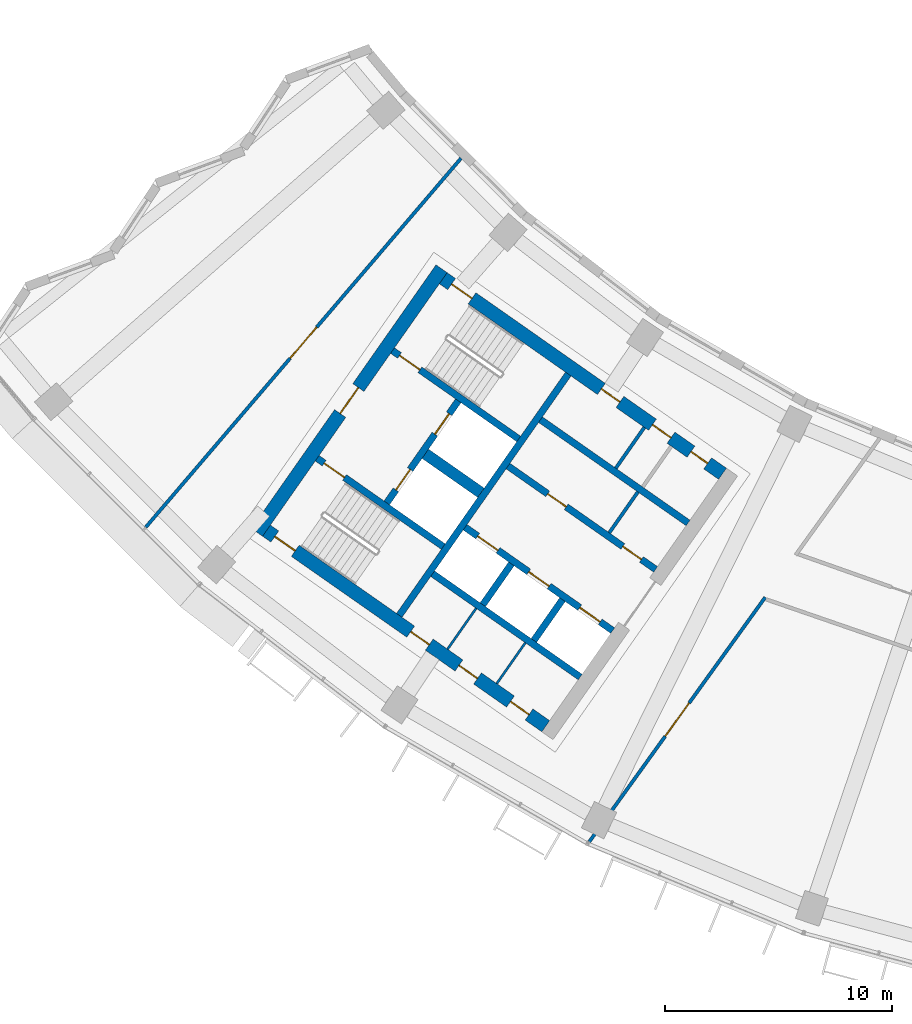
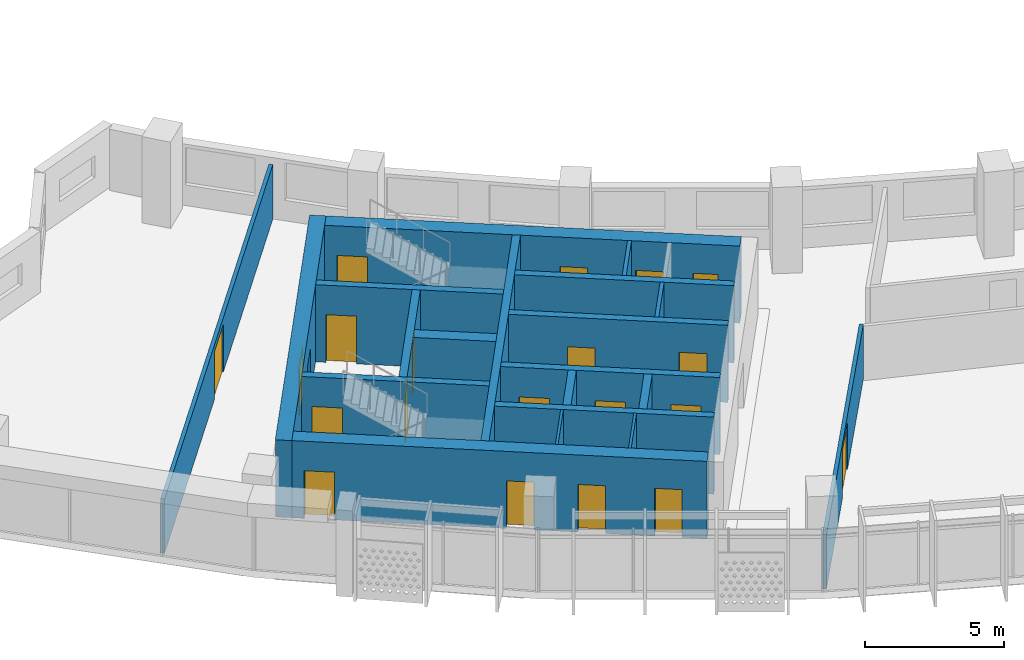
# One storey, part 3 of 27: 20 doors, 20 walls, 20 openings.
"""IFC4 building model written with IfcOpenShell, lengths in metres."""

import ifcopenshell
import ifcopenshell.guid

model = None  # the IFC model being written
_history = None  # IfcOwnerHistory: only IFC2X3 demands one
_inside = {}  # id of a spatial element -> (the spatial element, [elements in it])
_under = {}  # id of a project, library or spatial element -> (it, [spatial elements below it])
_declared = {}  # id of a project -> (the project, [libraries it declares])
_typed = {}  # id of a type object -> (the type object, [elements of that type])
_made_of = {}  # id of a material, layer set ... -> (it, [elements and type objects made of it])


def new_model(schema):
    """Start an empty IFC model of exactly this schema.

    Asked for "IFC4X3", IfcOpenShell would pick the latest addendum, in which some entities
    have other attributes; the version numbers below select the first issue.
    IFC2X3 requires an IfcOwnerHistory on every rooted entity: one is made here for all.
    """
    global model, _history
    if schema == "IFC4X3":
        model = ifcopenshell.file(schema_version=(4, 3, 0, 0))
    else:
        model = ifcopenshell.file(schema=schema)
    _inside.clear()
    _under.clear()
    _declared.clear()
    _typed.clear()
    _made_of.clear()
    _history = None
    if model.schema == "IFC2X3":
        org = make("IfcOrganization", Name="unknown")
        user = make(
            "IfcPersonAndOrganization",
            ThePerson=make("IfcPerson", FamilyName="unknown"),
            TheOrganization=org,
        )
        app = make(
            "IfcApplication",
            ApplicationDeveloper=org,
            Version="unknown",
            ApplicationFullName="unknown",
            ApplicationIdentifier="unknown",
        )
        _history = make(
            "IfcOwnerHistory",
            OwningUser=user,
            OwningApplication=app,
            ChangeAction="ADDED",
            CreationDate=0,
        )
    return model


def make(cls, **values):
    """One entity of the class cls with the attributes given. An attribute that is None is left unset."""
    return model.create_entity(
        cls, **{name: value for name, value in values.items() if value is not None}
    )


def rooted(cls, **values):
    """An entity with a GlobalId (a new one), such as an element, a storey or a relation."""
    return make(cls, GlobalId=ifcopenshell.guid.new(), OwnerHistory=_history, **values)


def si_unit(unit_type, name, prefix=None):
    """IfcSIUnit, for example si_unit("LENGTHUNIT", "METRE", prefix="MILLI")."""
    return make("IfcSIUnit", UnitType=unit_type, Prefix=prefix, Name=name)


def assignment(units):
    """IfcUnitAssignment: the units of a project."""
    return None if units is None else make("IfcUnitAssignment", Units=units)


def point(xyz):
    """IfcCartesianPoint."""
    return None if xyz is None else make("IfcCartesianPoint", Coordinates=xyz)


def direction(xyz):
    """IfcDirection."""
    return None if xyz is None else make("IfcDirection", DirectionRatios=xyz)


def frame(location, z_axis=None, x_axis=None):
    """IfcAxis2Placement3D, a coordinate frame: its origin and axes. An axis left out is left unset."""
    return make(
        "IfcAxis2Placement3D",
        Location=point(location),
        Axis=direction(z_axis),
        RefDirection=direction(x_axis),
    )


def frame_2d(location, x_axis=None):
    """IfcAxis2Placement2D, a coordinate frame in the plane: its origin and x axis."""
    return make(
        "IfcAxis2Placement2D", Location=point(location), RefDirection=direction(x_axis)
    )


def origin():
    """The frame at (0, 0, 0) with its axes left unset."""
    return frame((0.0, 0.0, 0.0))


def place(relative_to, where):
    """IfcLocalPlacement: puts the frame where relative to a parent placement (None: the world)."""
    return make(
        "IfcLocalPlacement", PlacementRelTo=relative_to, RelativePlacement=where
    )


def context(
    kind, dimensions, precision=None, world=None, true_north=None, identifier=None
):
    """IfcGeometricRepresentationContext, for example the 3D "Model" context."""
    return make(
        "IfcGeometricRepresentationContext",
        ContextIdentifier=identifier,
        ContextType=kind,
        CoordinateSpaceDimension=dimensions,
        Precision=precision,
        WorldCoordinateSystem=world,
        TrueNorth=true_north,
    )


def subcontext(parent, identifier, kind, view, scale=None):
    """IfcGeometricRepresentationSubContext, for example "Body" below "Model"."""
    return make(
        "IfcGeometricRepresentationSubContext",
        ContextIdentifier=identifier,
        ContextType=kind,
        ParentContext=parent,
        TargetScale=scale,
        TargetView=view,
    )


def project(units=None, contexts=None):
    """IfcProject with its units and contexts."""
    return rooted(
        "IfcProject",
        Name="project",
        RepresentationContexts=contexts,
        UnitsInContext=assignment(units),
    )


def spatial(cls, under=None, at=None, **own):
    """A site, building, storey or space (cls), placed at a placement, below another one or the project."""
    s = rooted(cls, ObjectPlacement=at, **own)
    if under is not None:
        _under.setdefault(under.id(), (under, []))[1].append(s)
    return s


def profile(cls, at=None, kind="AREA", **sizes):
    """A parametric profile (cls). Its sizes go by their IFC names, for example OverallWidth=200.0."""
    return make(cls, ProfileType=kind, Position=at, **sizes)


def rectangle(**sizes):
    """IfcRectangleProfileDef."""
    return profile("IfcRectangleProfileDef", **sizes)


def extrude(swept, where, along, depth):
    """IfcExtrudedAreaSolid: the profile swept, set in the frame where, extruded along a direction by depth."""
    return make(
        "IfcExtrudedAreaSolid",
        SweptArea=swept,
        Position=where,
        ExtrudedDirection=direction(along),
        Depth=depth,
    )


def shape(context_of_items, identifier, shape_type, items):
    """IfcShapeRepresentation: the items that make up one representation, for example the "Body"."""
    return make(
        "IfcShapeRepresentation",
        ContextOfItems=context_of_items,
        RepresentationIdentifier=identifier,
        RepresentationType=shape_type,
        Items=items,
    )


def material(Name=None, Category=None):
    """IfcMaterial."""
    return make("IfcMaterial", Name=Name, Category=Category)


def layer(
    of_material, thickness, ventilated=None, Name=None, Category=None, Priority=None
):
    """IfcMaterialLayer: one layer of a wall or slab, of a material (None: an air gap)."""
    return make(
        "IfcMaterialLayer",
        Material=of_material,
        LayerThickness=thickness,
        IsVentilated=ventilated,
        Name=Name,
        Category=Category,
        Priority=Priority,
    )


def layer_set(layers, Name=None):
    """IfcMaterialLayerSet."""
    return make("IfcMaterialLayerSet", MaterialLayers=layers, LayerSetName=Name)


def made_of(thing, what):
    """Note that an element or type object is made of a material, layer set ...; save() writes the relation."""
    if what is not None:
        _made_of.setdefault(what.id(), (what, []))[1].append(thing)
    return thing


def type_object(cls, material=None, **own):
    """A type object (cls), such as IfcWallType, which elements share."""
    return made_of(rooted(cls, **own), material)


def element(
    cls,
    number,
    at=None,
    inside=None,
    cuts=None,
    type_object=None,
    material=None,
    context=None,
    identifier="Body",
    shape_type=None,
    held_by="IfcProductDefinitionShape",
    body=None,
    shapes=None,
    **own,
):
    """One element of the class cls, such as IfcWall. Its Tag is "e" and its number.

    at: its placement. inside: the storey or other place that contains it. cuts: it is an
    opening in that element (IfcRelVoidsElement). A single representation is given by context,
    identifier, shape_type and body (its items); several are given by shapes. held_by: the class
    of the entity that holds the representations. save() writes the other relations.
    """
    e = rooted(cls, Tag="e%d" % number, ObjectPlacement=at, **own)
    if body is not None:
        shapes = [shape(context, identifier, shape_type, body)]
    if shapes is not None:
        e.Representation = make(held_by, Representations=shapes)
    if inside is not None:
        _inside.setdefault(inside.id(), (inside, []))[1].append(e)
    if cuts is not None:
        rooted(
            "IfcRelVoidsElement", RelatingBuildingElement=cuts, RelatedOpeningElement=e
        )
    if type_object is not None:
        _typed.setdefault(type_object.id(), (type_object, []))[1].append(e)
    return made_of(e, material)


def fill(opening, filler):
    """IfcRelFillsElement: the door or window that sits in an opening."""
    return rooted(
        "IfcRelFillsElement",
        RelatingOpeningElement=opening,
        RelatedBuildingElement=filler,
    )


def aggregate(whole, parts):
    """IfcRelAggregates: a whole, such as a stair, and the parts it consists of."""
    return rooted("IfcRelAggregates", RelatingObject=whole, RelatedObjects=parts)


def save(model, path):
    """Write the relations noted so far, then the file.

    IfcRelAggregates (storeys below a building ...), IfcRelContainedInSpatialStructure (elements
    in a storey), IfcRelDefinesByType, IfcRelAssociatesMaterial and IfcRelDeclares: one each for
    every whole, place, type object, material and project.
    """
    for whole, parts in _under.values():
        aggregate(whole, parts)
    for where, things in _inside.values():
        rooted(
            "IfcRelContainedInSpatialStructure",
            RelatedElements=things,
            RelatingStructure=where,
        )
    for kind, things in _typed.values():
        rooted("IfcRelDefinesByType", RelatedObjects=things, RelatingType=kind)
    for what, things in _made_of.values():
        rooted("IfcRelAssociatesMaterial", RelatedObjects=things, RelatingMaterial=what)
    for by, libraries in _declared.values():
        rooted("IfcRelDeclares", RelatingContext=by, RelatedDefinitions=libraries)
    model.write(path)


model = new_model("IFC4")

# Units and contexts
model_context = context("Model", 3, precision=1e-05, world=origin(), true_north=direction((0.0, 1.0)))
body_context = subcontext(model_context, "Body", "Model", "MODEL_VIEW")
ifc_project = project(units=[si_unit("LENGTHUNIT", "METRE"), si_unit("AREAUNIT", "SQUARE_METRE"), si_unit("VOLUMEUNIT", "CUBIC_METRE"), si_unit("PLANEANGLEUNIT", "RADIAN"), si_unit("MASSUNIT", "GRAM", prefix="KILO")], contexts=[model_context])

# Site, building, storey
site_placement = place(None, origin())
site = spatial("IfcSite", under=ifc_project, at=site_placement, CompositionType="ELEMENT")
building_placement = place(site_placement, origin())
building = spatial("IfcBuilding", under=site, at=building_placement, Name="Qamariyya Broadcast Tower", CompositionType="ELEMENT")
storey_placement = place(building_placement, frame((0.0, 0.0, 194.89990234375)))
storey = spatial("IfcBuildingStorey", under=building, at=storey_placement, Name="L46", CompositionType="ELEMENT", Elevation=194.89990234375)

# Wall, opening, door
ifc_material_1 = material(Name="Concrete C60/75", Category="concrete")
ifc_layer_1 = layer(ifc_material_1, 0.60009765625)
ifc_layer_set_1 = layer_set([ifc_layer_1], Name="Core wall 600 mm Concrete C60/75")
wall_type_1 = type_object("IfcWallType", Name="Core wall 600 mm Concrete C60/75", PredefinedType="SHEAR", material=ifc_layer_set_1)
wall_1_placement = place(storey_placement, frame((-49.4833984375, -57.031494140625, 0.0), z_axis=(0.0, 0.0, 1.0), x_axis=(0.573560421458, 0.819163257805, 0.0)))
wall_1 = element("IfcWall", 1, at=wall_1_placement, inside=storey, type_object=wall_type_1, Name="k-W-L46-WH", PredefinedType="SHEAR", context=body_context, shape_type="SweptSolid", body=[
    extrude(rectangle(XDim=14.199951171875, YDim=0.60009765625, at=frame_2d((7.10009765625, 0.0))), origin(), (0.0, 0.0, 1.0), 3.400146484375),
])
opening_1_placement = place(wall_1_placement, frame((6.39990234375, 0.0, 0.0)))
opening_1 = element("IfcOpeningElement", 2, at=opening_1_placement, cuts=wall_1, Name="Opening KD2-W1", PredefinedType="OPENING", context=body_context, shape_type="SweptSolid", body=[
    extrude(rectangle(XDim=1.39990234375, YDim=2.10009765625, at=frame_2d((0.699951171875, 1.050048828125))), frame((0.0, 0.31005859375, 0.0), z_axis=(0.0, -1.0, 0.0), x_axis=(1.0, 0.0, 0.0)), (0.0, 0.0, 1.0), 0.6201171875),
])
ifc_material_2 = material(Name="Steel fire-resisting door leaf", Category="steel")
door_type_1 = type_object("IfcDoorType", Name="Fire-fighting lobby door KD2", OperationType="DOUBLE_DOOR_SINGLE_SWING", PredefinedType="DOOR", material=ifc_material_2)
door_1_placement = place(opening_1_placement, origin())
door_1 = element("IfcDoor", 3, at=door_1_placement, inside=storey, type_object=door_type_1, Name="k-W-L46-WH-D15", OperationType="DOUBLE_DOOR_SINGLE_SWING", OverallHeight=2.10009765625, OverallWidth=1.39990234375, PredefinedType="DOOR", context=body_context, shape_type="SweptSolid", body=[
    extrude(rectangle(XDim=1.39990234375, YDim=2.10009765625, at=frame_2d((0.699951171875, 1.050048828125))), frame((0.0, 0.02490234375, 0.0), z_axis=(0.0, -1.0, 0.0), x_axis=(1.0, 0.0, 0.0)), (0.0, 0.0, 1.0), 0.050048828125),
])
fill(opening_1, door_1)

# Wall, openings, doors
wall_2_placement = place(storey_placement, frame((-28.940673828125, -54.447021484375, 0.0), z_axis=(0.0, 0.0, 1.0), x_axis=(-0.819153391756, 0.573574511963, 0.0)))
wall_2 = element("IfcWall", 4, at=wall_2_placement, inside=storey, type_object=wall_type_1, Name="k-W-L46-WI", PredefinedType="SHEAR", context=body_context, shape_type="SweptSolid", body=[
    extrude(rectangle(XDim=15.04541015625, YDim=0.60009765625, at=frame_2d((7.522705078125, 0.0))), origin(), (0.0, 0.0, 1.0), 3.400146484375),
])
opening_2_placement = place(wall_2_placement, frame((0.800048828125, 0.0, 0.0)))
opening_2 = element("IfcOpeningElement", 5, at=opening_2_placement, cuts=wall_2, Name="Opening KD5-W1", PredefinedType="OPENING", context=body_context, shape_type="SweptSolid", body=[
    extrude(rectangle(XDim=0.89990234375, YDim=2.10009765625, at=frame_2d((0.449951171875, 1.050048828125))), frame((0.0, 0.31005859375, 0.0), z_axis=(0.0, -1.0, 0.0), x_axis=(1.0, 0.0, 0.0)), (0.0, 0.0, 1.0), 0.6201171875),
])
opening_3_placement = place(wall_2_placement, frame((2.77490234375, 0.0, 0.0)))
opening_3 = element("IfcOpeningElement", 6, at=opening_3_placement, cuts=wall_2, Name="Opening KD7-W1", PredefinedType="OPENING", context=body_context, shape_type="SweptSolid", body=[
    extrude(rectangle(XDim=1.0, YDim=2.10009765625, at=frame_2d((0.5, 1.050048828125))), frame((0.0, 0.31005859375, 0.0), z_axis=(0.0, -1.0, 0.0), x_axis=(1.0, 0.0, 0.0)), (0.0, 0.0, 1.0), 0.6201171875),
])
opening_4_placement = place(wall_2_placement, frame((5.52490234375, 0.0, 0.0)))
opening_4 = element("IfcOpeningElement", 7, at=opening_4_placement, cuts=wall_2, Name="Opening KD6-W3", PredefinedType="OPENING", context=body_context, shape_type="SweptSolid", body=[
    extrude(rectangle(XDim=1.0, YDim=2.10009765625, at=frame_2d((0.5, 1.050048828125))), frame((0.0, 0.31005859375, 0.0), z_axis=(0.0, -1.0, 0.0), x_axis=(1.0, 0.0, 0.0)), (0.0, 0.0, 1.0), 0.6201171875),
])
opening_5_placement = place(wall_2_placement, frame((13.495361328125, 0.0, 0.0)))
opening_5 = element("IfcOpeningElement", 8, at=opening_5_placement, cuts=wall_2, Name="Opening KD1-W1", PredefinedType="OPENING", context=body_context, shape_type="SweptSolid", body=[
    extrude(rectangle(XDim=1.10009765625, YDim=2.10009765625, at=frame_2d((0.550048828125, 1.050048828125))), frame((0.0, 0.31005859375, 0.0), z_axis=(0.0, -1.0, 0.0), x_axis=(1.0, 0.0, 0.0)), (0.0, 0.0, 1.0), 0.6201171875),
])
door_type_2 = type_object("IfcDoorType", Name="Accessible toilet door KD7", OperationType="SINGLE_SWING_LEFT", PredefinedType="DOOR", material=ifc_material_2)
door_2_placement = place(opening_3_placement, origin())
door_2 = element("IfcDoor", 9, at=door_2_placement, inside=storey, type_object=door_type_2, Name="k-W-L46-WI-D8", OperationType="SINGLE_SWING_LEFT", OverallHeight=2.10009765625, OverallWidth=1.0, PredefinedType="DOOR", context=body_context, shape_type="SweptSolid", body=[
    extrude(rectangle(XDim=1.0, YDim=2.10009765625, at=frame_2d((0.5, 1.050048828125))), frame((0.0, 0.02490234375, 0.0), z_axis=(0.0, -1.0, 0.0), x_axis=(1.0, 0.0, 0.0)), (0.0, 0.0, 1.0), 0.050048828125),
])
fill(opening_3, door_2)
door_type_3 = type_object("IfcDoorType", Name="Core room door KD6", OperationType="SINGLE_SWING_LEFT", PredefinedType="DOOR", material=ifc_material_2)
door_3_placement = place(opening_4_placement, origin())
door_3 = element("IfcDoor", 10, at=door_3_placement, inside=storey, type_object=door_type_3, Name="k-W-L46-WI-D9", OperationType="SINGLE_SWING_RIGHT", OverallHeight=2.10009765625, OverallWidth=1.0, PredefinedType="DOOR", context=body_context, shape_type="SweptSolid", body=[
    extrude(rectangle(XDim=1.0, YDim=2.10009765625, at=frame_2d((0.5, 1.050048828125))), frame((0.0, 0.02490234375, 0.0), z_axis=(0.0, -1.0, 0.0), x_axis=(1.0, 0.0, 0.0)), (0.0, 0.0, 1.0), 0.050048828125),
])
fill(opening_4, door_3)
door_type_4 = type_object("IfcDoorType", Name="Stair door KD1", OperationType="SINGLE_SWING_LEFT", PredefinedType="DOOR", material=ifc_material_2)
door_4_placement = place(opening_5_placement, origin())
door_4 = element("IfcDoor", 11, at=door_4_placement, inside=storey, type_object=door_type_4, Name="k-W-L46-WI-D16", OperationType="SINGLE_SWING_RIGHT", OverallHeight=2.10009765625, OverallWidth=1.10009765625, PredefinedType="DOOR", context=body_context, shape_type="SweptSolid", body=[
    extrude(rectangle(XDim=1.10009765625, YDim=2.10009765625, at=frame_2d((0.550048828125, 1.050048828125))), frame((0.0, 0.02490234375, 0.0), z_axis=(0.0, -1.0, 0.0), x_axis=(1.0, 0.0, 0.0)), (0.0, 0.0, 1.0), 0.050048828125),
])
fill(opening_5, door_4)
door_type_5 = type_object("IfcDoorType", Name="Toilet door KD5", OperationType="SINGLE_SWING_LEFT", PredefinedType="DOOR", material=ifc_material_2)
door_5_placement = place(opening_2_placement, origin())
door_5 = element("IfcDoor", 12, at=door_5_placement, inside=storey, type_object=door_type_5, Name="k-W-L46-WI-D7", OperationType="SINGLE_SWING_RIGHT", OverallHeight=2.10009765625, OverallWidth=0.89990234375, PredefinedType="DOOR", context=body_context, shape_type="SweptSolid", body=[
    extrude(rectangle(XDim=0.89990234375, YDim=2.10009765625, at=frame_2d((0.449951171875, 1.050048828125))), frame((0.0, 0.02490234375, 0.0), z_axis=(0.0, -1.0, 0.0), x_axis=(1.0, 0.0, 0.0)), (0.0, 0.0, 1.0), 0.050048828125),
])
fill(opening_2, door_5)

wall_3_placement = place(storey_placement, frame((-36.7412109375, -65.58740234375, 0.0), z_axis=(0.0, 0.0, 1.0), x_axis=(-0.819153391756, 0.573574511963, 0.0)))
wall_3 = element("IfcWall", 13, at=wall_3_placement, inside=storey, type_object=wall_type_1, Name="k-W-L46-WO", PredefinedType="SHEAR", context=body_context, shape_type="SweptSolid", body=[
    extrude(rectangle(XDim=15.04541015625, YDim=0.60009765625, at=frame_2d((7.522705078125, 0.0))), origin(), (0.0, 0.0, 1.0), 3.400146484375),
])
opening_6_placement = place(wall_3_placement, frame((0.89990234375, 0.0, 0.0)))
opening_6 = element("IfcOpeningElement", 14, at=opening_6_placement, cuts=wall_3, Name="Opening KD4-W1", PredefinedType="OPENING", context=body_context, shape_type="SweptSolid", body=[
    extrude(rectangle(XDim=1.0, YDim=2.10009765625, at=frame_2d((0.5, 1.050048828125))), frame((0.0, 0.31005859375, 0.0), z_axis=(0.0, -1.0, 0.0), x_axis=(1.0, 0.0, 0.0)), (0.0, 0.0, 1.0), 0.6201171875),
])
opening_7_placement = place(wall_3_placement, frame((3.675048828125, 0.0, 0.0)))
opening_7 = element("IfcOpeningElement", 15, at=opening_7_placement, cuts=wall_3, Name="Opening KD4-W2", PredefinedType="OPENING", context=body_context, shape_type="SweptSolid", body=[
    extrude(rectangle(XDim=1.0, YDim=2.10009765625, at=frame_2d((0.5, 1.050048828125))), frame((0.0, 0.31005859375, 0.0), z_axis=(0.0, -1.0, 0.0), x_axis=(1.0, 0.0, 0.0)), (0.0, 0.0, 1.0), 0.6201171875),
])
opening_8_placement = place(wall_3_placement, frame((6.27490234375, 0.0, 0.0)))
opening_8 = element("IfcOpeningElement", 16, at=opening_8_placement, cuts=wall_3, Name="Opening KD4-W3", PredefinedType="OPENING", context=body_context, shape_type="SweptSolid", body=[
    extrude(rectangle(XDim=1.0, YDim=2.10009765625, at=frame_2d((0.5, 1.050048828125))), frame((0.0, 0.31005859375, 0.0), z_axis=(0.0, -1.0, 0.0), x_axis=(1.0, 0.0, 0.0)), (0.0, 0.0, 1.0), 0.6201171875),
])
opening_9_placement = place(wall_3_placement, frame((13.495361328125, 0.0, 0.0)))
opening_9 = element("IfcOpeningElement", 17, at=opening_9_placement, cuts=wall_3, Name="Opening KD1-W3", PredefinedType="OPENING", context=body_context, shape_type="SweptSolid", body=[
    extrude(rectangle(XDim=1.10009765625, YDim=2.10009765625, at=frame_2d((0.550048828125, 1.050048828125))), frame((0.0, 0.31005859375, 0.0), z_axis=(0.0, -1.0, 0.0), x_axis=(1.0, 0.0, 0.0)), (0.0, 0.0, 1.0), 0.6201171875),
])
door_type_6 = type_object("IfcDoorType", Name="Riser and plant door KD4", OperationType="SINGLE_SWING_LEFT", PredefinedType="DOOR", material=ifc_material_2)
door_6_placement = place(opening_6_placement, origin())
door_6 = element("IfcDoor", 18, at=door_6_placement, inside=storey, type_object=door_type_6, Name="k-W-L46-WO-D10", OperationType="SINGLE_SWING_LEFT", OverallHeight=2.10009765625, OverallWidth=1.0, PredefinedType="DOOR", context=body_context, shape_type="SweptSolid", body=[
    extrude(rectangle(XDim=1.0, YDim=2.10009765625, at=frame_2d((0.5, 1.050048828125))), frame((0.0, 0.02490234375, 0.0), z_axis=(0.0, -1.0, 0.0), x_axis=(1.0, 0.0, 0.0)), (0.0, 0.0, 1.0), 0.050048828125),
])
fill(opening_6, door_6)
door_7_placement = place(opening_7_placement, origin())
door_7 = element("IfcDoor", 19, at=door_7_placement, inside=storey, type_object=door_type_6, Name="k-W-L46-WO-D11", OperationType="SINGLE_SWING_RIGHT", OverallHeight=2.10009765625, OverallWidth=1.0, PredefinedType="DOOR", context=body_context, shape_type="SweptSolid", body=[
    extrude(rectangle(XDim=1.0, YDim=2.10009765625, at=frame_2d((0.5, 1.050048828125))), frame((0.0, 0.02490234375, 0.0), z_axis=(0.0, -1.0, 0.0), x_axis=(1.0, 0.0, 0.0)), (0.0, 0.0, 1.0), 0.050048828125),
])
fill(opening_7, door_7)
door_8_placement = place(opening_8_placement, origin())
door_8 = element("IfcDoor", 20, at=door_8_placement, inside=storey, type_object=door_type_6, Name="k-W-L46-WO-D12", OperationType="SINGLE_SWING_LEFT", OverallHeight=2.10009765625, OverallWidth=1.0, PredefinedType="DOOR", context=body_context, shape_type="SweptSolid", body=[
    extrude(rectangle(XDim=1.0, YDim=2.10009765625, at=frame_2d((0.5, 1.050048828125))), frame((0.0, 0.02490234375, 0.0), z_axis=(0.0, -1.0, 0.0), x_axis=(1.0, 0.0, 0.0)), (0.0, 0.0, 1.0), 0.050048828125),
])
fill(opening_8, door_8)
door_9_placement = place(opening_9_placement, origin())
door_9 = element("IfcDoor", 21, at=door_9_placement, inside=storey, type_object=door_type_4, Name="k-W-L46-WO-D18", OperationType="SINGLE_SWING_LEFT", OverallHeight=2.10009765625, OverallWidth=1.10009765625, PredefinedType="DOOR", context=body_context, shape_type="SweptSolid", body=[
    extrude(rectangle(XDim=1.10009765625, YDim=2.10009765625, at=frame_2d((0.550048828125, 1.050048828125))), frame((0.0, 0.02490234375, 0.0), z_axis=(0.0, -1.0, 0.0), x_axis=(1.0, 0.0, 0.0)), (0.0, 0.0, 1.0), 0.050048828125),
])
fill(opening_9, door_9)

# Wall, opening, door
ifc_material_3 = material(Name="Gypsum board partition")
ifc_layer_2 = layer(ifc_material_3, 0.14990234375)
ifc_layer_set_2 = layer_set([ifc_layer_2], Name="Corridor partition 150 EI 60")
wall_type_2 = type_object("IfcWallType", Name="Corridor partition 150 EI 60", PredefinedType="PARTITIONING", material=ifc_layer_set_2)
wall_4_placement = place(storey_placement, frame((-54.39404296875, -56.8076171875, 0.0), z_axis=(0.0, 0.0, 1.0), x_axis=(0.649633284071, 0.760247720303, 0.0)))
wall_4 = element("IfcWall", 22, at=wall_4_placement, inside=storey, type_object=wall_type_2, Name="Partition L46-001", PredefinedType="PARTITIONING", context=body_context, shape_type="SweptSolid", body=[
    extrude(rectangle(XDim=21.420166015625, YDim=0.14990234375, at=frame_2d((10.7099609375, 0.0))), origin(), (0.0, 0.0, 1.0), 2.400146484375),
])
opening_10_placement = place(wall_4_placement, frame((9.81005859375, 0.0, 0.0)))
opening_10 = element("IfcOpeningElement", 23, at=opening_10_placement, cuts=wall_4, Name="Opening L46-D15", PredefinedType="OPENING", context=body_context, shape_type="SweptSolid", body=[
    extrude(rectangle(XDim=1.800048828125, YDim=2.10009765625, at=frame_2d((0.89990234375, 1.050048828125))), frame((0.0, 0.0849609375, 0.0), z_axis=(0.0, -1.0, 0.0), x_axis=(1.0, 0.0, 0.0)), (0.0, 0.0, 1.0), 0.169921875),
])
ifc_material_4 = material(Name="Timber fire door leaf", Category="wood")
door_type_7 = type_object("IfcDoorType", Name="Double fire door 1800 x 2100 FD60", OperationType="NOTDEFINED", PredefinedType="DOOR", material=ifc_material_4)
door_10_placement = place(opening_10_placement, origin())
door_10 = element("IfcDoor", 24, at=door_10_placement, inside=storey, type_object=door_type_7, Name="Door L46-D15", OperationType="DOUBLE_DOOR_SINGLE_SWING", OverallHeight=2.10009765625, OverallWidth=1.800048828125, PredefinedType="DOOR", context=body_context, shape_type="SweptSolid", body=[
    extrude(rectangle(XDim=1.800048828125, YDim=2.10009765625, at=frame_2d((0.89990234375, 1.050048828125))), frame((0.0, 0.02490234375, 0.0), z_axis=(0.0, -1.0, 0.0), x_axis=(1.0, 0.0, 0.0)), (0.0, 0.0, 1.0), 0.050048828125),
])
fill(opening_10, door_10)

wall_5_placement = place(storey_placement, frame((-27.056884765625, -59.899169921875, 0.0), z_axis=(0.0, 0.0, 1.0), x_axis=(-0.584166374063, -0.81163393683, 0.0)))
wall_5 = element("IfcWall", 25, at=wall_5_placement, inside=storey, type_object=wall_type_2, Name="Partition L46-002", PredefinedType="PARTITIONING", context=body_context, shape_type="SweptSolid", body=[
    extrude(rectangle(XDim=13.296142578125, YDim=0.14990234375, at=frame_2d((6.64794921875, 0.0))), origin(), (0.0, 0.0, 1.0), 2.400146484375),
])
opening_11_placement = place(wall_5_placement, frame((5.748046875, 0.0, 0.0)))
opening_11 = element("IfcOpeningElement", 26, at=opening_11_placement, cuts=wall_5, Name="Opening L46-D01", PredefinedType="OPENING", context=body_context, shape_type="SweptSolid", body=[
    extrude(rectangle(XDim=1.800048828125, YDim=2.10009765625, at=frame_2d((0.89990234375, 1.050048828125))), frame((0.0, 0.0849609375, 0.0), z_axis=(0.0, -1.0, 0.0), x_axis=(1.0, 0.0, 0.0)), (0.0, 0.0, 1.0), 0.169921875),
])
door_11_placement = place(opening_11_placement, origin())
door_11 = element("IfcDoor", 27, at=door_11_placement, inside=storey, type_object=door_type_7, Name="Door L46-D01", OperationType="DOUBLE_DOOR_SINGLE_SWING", OverallHeight=2.10009765625, OverallWidth=1.800048828125, PredefinedType="DOOR", context=body_context, shape_type="SweptSolid", body=[
    extrude(rectangle(XDim=1.800048828125, YDim=2.10009765625, at=frame_2d((0.89990234375, 1.050048828125))), frame((0.0, 0.02490234375, 0.0), z_axis=(0.0, -1.0, 0.0), x_axis=(1.0, 0.0, 0.0)), (0.0, 0.0, 1.0), 0.050048828125),
])
fill(opening_11, door_11)

# Walls
ifc_layer_3 = layer(ifc_material_1, 0.5)
ifc_layer_set_3 = layer_set([ifc_layer_3], Name="Fire-fighting lobby divider wall 500 mm Concrete C60/75")
wall_type_3 = type_object("IfcWallType", Name="Fire-fighting lobby divider wall 500 mm Concrete C60/75", PredefinedType="SOLIDWALL", material=ifc_layer_set_3)
wall_6_placement = place(storey_placement, frame((-39.59912109375, -55.28515625, 0.0), z_axis=(0.0, 0.0, 1.0), x_axis=(-0.819136323161, 0.573598887793, 0.0)))
element("IfcWall", 28, at=wall_6_placement, inside=storey, type_object=wall_type_3, Name="k-W-L46-FD", PredefinedType="SOLIDWALL", context=body_context, shape_type="SweptSolid", body=[
    extrude(rectangle(XDim=2.999755859375, YDim=0.5, at=frame_2d((1.5, 0.0))), origin(), (0.0, 0.0, 1.0), 3.400146484375),
])
ifc_material_5 = material(Name="Gypsum board partition on steel studs", Category="steel")
ifc_layer_4 = layer(ifc_material_5, 0.14990234375)
ifc_layer_set_4 = layer_set([ifc_layer_4], Name="Gypsum board partition 150 mm")
wall_type_4 = type_object("IfcWallType", Name="Gypsum board partition 150 mm", PredefinedType="PARTITIONING", material=ifc_layer_set_4)
wall_7_placement = place(storey_placement, frame((-33.9384765625, -57.051513671875, 0.0), z_axis=(0.0, 0.0, 1.0), x_axis=(0.573581496053, 0.819148501424, 0.0)))
element("IfcWall", 29, at=wall_7_placement, inside=storey, type_object=wall_type_4, Name="k-W-L46-NC260", PredefinedType="PARTITIONING", context=body_context, shape_type="SweptSolid", body=[
    extrude(rectangle(XDim=2.2001953125, YDim=0.14990234375, at=frame_2d((1.10009765625, 0.0))), origin(), (0.0, 0.0, 1.0), 3.400146484375),
])
wall_8_placement = place(storey_placement, frame((-33.651123046875, -54.200439453125, 0.0), z_axis=(0.0, 0.0, 1.0), x_axis=(0.573559170999, 0.819164133348, 0.0)))
element("IfcWall", 30, at=wall_8_placement, inside=storey, type_object=wall_type_4, Name="k-W-L46-NP400", PredefinedType="PARTITIONING", context=body_context, shape_type="SweptSolid", body=[
    extrude(rectangle(XDim=2.19970703125, YDim=0.14990234375, at=frame_2d((1.099853515625, 0.0))), origin(), (0.0, 0.0, 1.0), 3.400146484375),
])
ifc_layer_5 = layer(ifc_material_1, 0.300048828125)
ifc_layer_set_5 = layer_set([ifc_layer_5], Name="Lift shaft wall 300 mm Concrete C60/75")
wall_type_5 = type_object("IfcWallType", Name="Lift shaft wall 300 mm Concrete C60/75", PredefinedType="SOLIDWALL", material=ifc_layer_set_5)
wall_9_placement = place(storey_placement, frame((-43.204345703125, -60.69580078125, 0.0), z_axis=(0.0, 0.0, 1.0), x_axis=(0.573571992966, 0.819155155563, 0.0)))
element("IfcWall", 31, at=wall_9_placement, inside=storey, type_object=wall_type_5, Name="k-W-L46-WL", PredefinedType="SOLIDWALL", context=body_context, shape_type="SweptSolid", body=[
    extrude(rectangle(XDim=13.000244140625, YDim=0.300048828125, at=frame_2d((6.5, 0.0))), origin(), (0.0, 0.0, 1.0), 3.400146484375),
])

# Wall, openings, doors
wall_10_placement = place(storey_placement, frame((-31.89453125, -58.66552734375, 0.0), z_axis=(0.0, 0.0, 1.0), x_axis=(-0.819166993208, 0.573555086491, 0.0)))
wall_10 = element("IfcWall", 32, at=wall_10_placement, inside=storey, type_object=wall_type_5, Name="k-W-L46-NF0", PredefinedType="SOLIDWALL", context=body_context, shape_type="SweptSolid", body=[
    extrude(rectangle(XDim=7.9501953125, YDim=0.300048828125, at=frame_2d((3.97509765625, 0.0))), origin(), (0.0, 0.0, 1.0), 3.400146484375),
])
opening_12_placement = place(wall_10_placement, frame((0.762451171875, 0.0, 0.0)))
opening_12 = element("IfcOpeningElement", 33, at=opening_12_placement, cuts=wall_10, Name="Opening KD6-W1", PredefinedType="OPENING", context=body_context, shape_type="SweptSolid", body=[
    extrude(rectangle(XDim=1.0, YDim=2.10009765625, at=frame_2d((0.5, 1.050048828125))), frame((0.0, 0.159912109375, 0.0), z_axis=(0.0, -1.0, 0.0), x_axis=(1.0, 0.0, 0.0)), (0.0, 0.0, 1.0), 0.320068359375),
])
opening_13_placement = place(wall_10_placement, frame((4.8125, 0.0, 0.0)))
opening_13 = element("IfcOpeningElement", 34, at=opening_13_placement, cuts=wall_10, Name="Opening KD6-W2", PredefinedType="OPENING", context=body_context, shape_type="SweptSolid", body=[
    extrude(rectangle(XDim=1.0, YDim=2.10009765625, at=frame_2d((0.5, 1.050048828125))), frame((0.0, 0.159912109375, 0.0), z_axis=(0.0, -1.0, 0.0), x_axis=(1.0, 0.0, 0.0)), (0.0, 0.0, 1.0), 0.320068359375),
])
door_12_placement = place(opening_12_placement, origin())
door_12 = element("IfcDoor", 35, at=door_12_placement, inside=storey, type_object=door_type_3, Name="k-W-L46-NF0-D2", OperationType="SINGLE_SWING_LEFT", OverallHeight=2.10009765625, OverallWidth=1.0, PredefinedType="DOOR", context=body_context, shape_type="SweptSolid", body=[
    extrude(rectangle(XDim=1.0, YDim=2.10009765625, at=frame_2d((0.5, 1.050048828125))), frame((0.0, 0.02490234375, 0.0), z_axis=(0.0, -1.0, 0.0), x_axis=(1.0, 0.0, 0.0)), (0.0, 0.0, 1.0), 0.050048828125),
])
fill(opening_12, door_12)
door_13_placement = place(opening_13_placement, origin())
door_13 = element("IfcDoor", 36, at=door_13_placement, inside=storey, type_object=door_type_3, Name="k-W-L46-NF0-D3", OperationType="SINGLE_SWING_RIGHT", OverallHeight=2.10009765625, OverallWidth=1.0, PredefinedType="DOOR", context=body_context, shape_type="SweptSolid", body=[
    extrude(rectangle(XDim=1.0, YDim=2.10009765625, at=frame_2d((0.5, 1.050048828125))), frame((0.0, 0.02490234375, 0.0), z_axis=(0.0, -1.0, 0.0), x_axis=(1.0, 0.0, 0.0)), (0.0, 0.0, 1.0), 0.050048828125),
])
fill(opening_13, door_13)

# Wall
wall_11_placement = place(storey_placement, frame((-30.460693359375, -56.61767578125, 0.0), z_axis=(0.0, 0.0, 1.0), x_axis=(-0.819142461705, 0.573590121456, 0.0)))
element("IfcWall", 37, at=wall_11_placement, inside=storey, type_object=wall_type_5, Name="k-W-L46-NB0", PredefinedType="SOLIDWALL", context=body_context, shape_type="SweptSolid", body=[
    extrude(rectangle(XDim=7.949951171875, YDim=0.300048828125, at=frame_2d((3.97509765625, 0.0))), origin(), (0.0, 0.0, 1.0), 3.400146484375),
])

# Wall, openings, doors
wall_12_placement = place(storey_placement, frame((-33.787353515625, -61.368896484375, 0.0), z_axis=(0.0, 0.0, 1.0), x_axis=(-0.819152564888, 0.573575692858, 0.0)))
wall_12 = element("IfcWall", 38, at=wall_12_placement, inside=storey, type_object=wall_type_5, Name="k-W-L46-SF0", PredefinedType="SOLIDWALL", context=body_context, shape_type="SweptSolid", body=[
    extrude(rectangle(XDim=7.9501953125, YDim=0.300048828125, at=frame_2d((3.97509765625, 0.0))), origin(), (0.0, 0.0, 1.0), 3.400146484375),
])
opening_14_placement = place(wall_12_placement, frame((0.675048828125, 0.0, 0.0)))
opening_14 = element("IfcOpeningElement", 39, at=opening_14_placement, cuts=wall_12, Name="Opening LD", PredefinedType="OPENING", context=body_context, shape_type="SweptSolid", body=[
    extrude(rectangle(XDim=1.10009765625, YDim=2.10009765625, at=frame_2d((0.550048828125, 1.050048828125))), frame((0.0, 0.159912109375, 0.0), z_axis=(0.0, -1.0, 0.0), x_axis=(1.0, 0.0, 0.0)), (0.0, 0.0, 1.0), 0.320068359375),
])
opening_15_placement = place(wall_12_placement, frame((3.425048828125, 0.0, 0.0)))
opening_15 = element("IfcOpeningElement", 40, at=opening_15_placement, cuts=wall_12, Name="Opening LD", PredefinedType="OPENING", context=body_context, shape_type="SweptSolid", body=[
    extrude(rectangle(XDim=1.10009765625, YDim=2.10009765625, at=frame_2d((0.550048828125, 1.050048828125))), frame((0.0, 0.159912109375, 0.0), z_axis=(0.0, -1.0, 0.0), x_axis=(1.0, 0.0, 0.0)), (0.0, 0.0, 1.0), 0.320068359375),
])
opening_16_placement = place(wall_12_placement, frame((6.175048828125, 0.0, 0.0)))
opening_16 = element("IfcOpeningElement", 41, at=opening_16_placement, cuts=wall_12, Name="Opening LD", PredefinedType="OPENING", context=body_context, shape_type="SweptSolid", body=[
    extrude(rectangle(XDim=1.10009765625, YDim=2.10009765625, at=frame_2d((0.550048828125, 1.050048828125))), frame((0.0, 0.159912109375, 0.0), z_axis=(0.0, -1.0, 0.0), x_axis=(1.0, 0.0, 0.0)), (0.0, 0.0, 1.0), 0.320068359375),
])
door_type_8 = type_object("IfcDoorType", Name="Lift landing door LD", OperationType="DOUBLE_DOOR_SLIDING", PredefinedType="DOOR", material=ifc_material_2)
door_14_placement = place(opening_14_placement, origin())
door_14 = element("IfcDoor", 42, at=door_14_placement, inside=storey, type_object=door_type_8, Name="k-W-L46-SF0-D4", OperationType="DOUBLE_DOOR_SLIDING", OverallHeight=2.10009765625, OverallWidth=1.10009765625, PredefinedType="DOOR", context=body_context, shape_type="SweptSolid", body=[
    extrude(rectangle(XDim=1.10009765625, YDim=2.10009765625, at=frame_2d((0.550048828125, 1.050048828125))), frame((0.0, 0.02490234375, 0.0), z_axis=(0.0, -1.0, 0.0), x_axis=(1.0, 0.0, 0.0)), (0.0, 0.0, 1.0), 0.050048828125),
])
fill(opening_14, door_14)
door_15_placement = place(opening_15_placement, origin())
door_15 = element("IfcDoor", 43, at=door_15_placement, inside=storey, type_object=door_type_8, Name="k-W-L46-SF0-D5", OperationType="DOUBLE_DOOR_SLIDING", OverallHeight=2.10009765625, OverallWidth=1.10009765625, PredefinedType="DOOR", context=body_context, shape_type="SweptSolid", body=[
    extrude(rectangle(XDim=1.10009765625, YDim=2.10009765625, at=frame_2d((0.550048828125, 1.050048828125))), frame((0.0, 0.02490234375, 0.0), z_axis=(0.0, -1.0, 0.0), x_axis=(1.0, 0.0, 0.0)), (0.0, 0.0, 1.0), 0.050048828125),
])
fill(opening_15, door_15)
door_16_placement = place(opening_16_placement, origin())
door_16 = element("IfcDoor", 44, at=door_16_placement, inside=storey, type_object=door_type_8, Name="k-W-L46-SF0-D6", OperationType="DOUBLE_DOOR_SLIDING", OverallHeight=2.10009765625, OverallWidth=1.10009765625, PredefinedType="DOOR", context=body_context, shape_type="SweptSolid", body=[
    extrude(rectangle(XDim=1.10009765625, YDim=2.10009765625, at=frame_2d((0.550048828125, 1.050048828125))), frame((0.0, 0.02490234375, 0.0), z_axis=(0.0, -1.0, 0.0), x_axis=(1.0, 0.0, 0.0)), (0.0, 0.0, 1.0), 0.050048828125),
])
fill(opening_16, door_16)

# Walls
wall_13_placement = place(storey_placement, frame((-35.22119140625, -63.41650390625, 0.0), z_axis=(0.0, 0.0, 1.0), x_axis=(-0.819166993208, 0.573555086491, 0.0)))
element("IfcWall", 45, at=wall_13_placement, inside=storey, type_object=wall_type_5, Name="k-W-L46-SB0", PredefinedType="SOLIDWALL", context=body_context, shape_type="SweptSolid", body=[
    extrude(rectangle(XDim=7.9501953125, YDim=0.300048828125, at=frame_2d((3.97509765625, 0.0))), origin(), (0.0, 0.0, 1.0), 3.400146484375),
])
wall_14_placement = place(storey_placement, frame((-36.003173828125, -60.000244140625, 0.0), z_axis=(0.0, 0.0, 1.0), x_axis=(-0.573581496053, -0.819148501424, 0.0)))
element("IfcWall", 46, at=wall_14_placement, inside=storey, type_object=wall_type_5, Name="k-W-L46-SD0", PredefinedType="SOLIDWALL", context=body_context, shape_type="SweptSolid", body=[
    extrude(rectangle(XDim=2.2001953125, YDim=0.300048828125, at=frame_2d((1.10009765625, 0.0))), origin(), (0.0, 0.0, 1.0), 3.400146484375),
])
wall_15_placement = place(storey_placement, frame((-38.255859375, -58.423095703125, 0.0), z_axis=(0.0, 0.0, 1.0), x_axis=(-0.573633636671, -0.819111989218, 0.0)))
element("IfcWall", 47, at=wall_15_placement, inside=storey, type_object=wall_type_5, Name="k-W-L46-SD1", PredefinedType="SOLIDWALL", context=body_context, shape_type="SweptSolid", body=[
    extrude(rectangle(XDim=2.199951171875, YDim=0.300048828125, at=frame_2d((1.10009765625, 0.0))), origin(), (0.0, 0.0, 1.0), 3.400146484375),
])

# Wall, opening, door
wall_16_placement = place(storey_placement, frame((-37.935546875, -52.90966796875, 0.0), z_axis=(0.0, 0.0, 1.0), x_axis=(-0.819147518138, 0.57358290031, 0.0)))
wall_16 = element("IfcWall", 48, at=wall_16_placement, inside=storey, type_object=wall_type_5, Name="k-W-L46-NW", PredefinedType="SOLIDWALL", context=body_context, shape_type="SweptSolid", body=[
    extrude(rectangle(XDim=6.79541015625, YDim=0.300048828125, at=frame_2d((3.397705078125, 0.0))), origin(), (0.0, 0.0, 1.0), 3.400146484375),
])
opening_17_placement = place(wall_16_placement, frame((5.3203125, 0.0, 0.0)))
opening_17 = element("IfcOpeningElement", 49, at=opening_17_placement, cuts=wall_16, Name="Opening KD1-W2", PredefinedType="OPENING", context=body_context, shape_type="SweptSolid", body=[
    extrude(rectangle(XDim=1.10009765625, YDim=2.10009765625, at=frame_2d((0.550048828125, 1.050048828125))), frame((0.0, 0.159912109375, 0.0), z_axis=(0.0, -1.0, 0.0), x_axis=(1.0, 0.0, 0.0)), (0.0, 0.0, 1.0), 0.320068359375),
])
door_17_placement = place(opening_17_placement, origin())
door_17 = element("IfcDoor", 50, at=door_17_placement, inside=storey, type_object=door_type_4, Name="k-W-L46-NW-D17", OperationType="SINGLE_SWING_RIGHT", OverallHeight=2.10009765625, OverallWidth=1.10009765625, PredefinedType="DOOR", context=body_context, shape_type="SweptSolid", body=[
    extrude(rectangle(XDim=1.10009765625, YDim=2.10009765625, at=frame_2d((0.550048828125, 1.050048828125))), frame((0.0, 0.02490234375, 0.0), z_axis=(0.0, -1.0, 0.0), x_axis=(1.0, 0.0, 0.0)), (0.0, 0.0, 1.0), 0.050048828125),
])
fill(opening_17, door_17)

wall_17_placement = place(storey_placement, frame((-41.262451171875, -57.66064453125, 0.0), z_axis=(0.0, 0.0, 1.0), x_axis=(-0.819164398642, 0.573558792102, 0.0)))
wall_17 = element("IfcWall", 51, at=wall_17_placement, inside=storey, type_object=wall_type_5, Name="k-W-L46-SW", PredefinedType="SOLIDWALL", context=body_context, shape_type="SweptSolid", body=[
    extrude(rectangle(XDim=6.795166015625, YDim=0.300048828125, at=frame_2d((3.3974609375, 0.0))), origin(), (0.0, 0.0, 1.0), 3.400146484375),
])
opening_18_placement = place(wall_17_placement, frame((5.3203125, 0.0, 0.0)))
opening_18 = element("IfcOpeningElement", 52, at=opening_18_placement, cuts=wall_17, Name="Opening KD1-W4", PredefinedType="OPENING", context=body_context, shape_type="SweptSolid", body=[
    extrude(rectangle(XDim=1.10009765625, YDim=2.10009765625, at=frame_2d((0.550048828125, 1.050048828125))), frame((0.0, 0.159912109375, 0.0), z_axis=(0.0, -1.0, 0.0), x_axis=(1.0, 0.0, 0.0)), (0.0, 0.0, 1.0), 0.320068359375),
])
door_18_placement = place(opening_18_placement, origin())
door_18 = element("IfcDoor", 53, at=door_18_placement, inside=storey, type_object=door_type_4, Name="k-W-L46-SW-D19", OperationType="SINGLE_SWING_RIGHT", OverallHeight=2.10009765625, OverallWidth=1.10009765625, PredefinedType="DOOR", context=body_context, shape_type="SweptSolid", body=[
    extrude(rectangle(XDim=1.10009765625, YDim=2.10009765625, at=frame_2d((0.550048828125, 1.050048828125))), frame((0.0, 0.02490234375, 0.0), z_axis=(0.0, -1.0, 0.0), x_axis=(1.0, 0.0, 0.0)), (0.0, 0.0, 1.0), 0.050048828125),
])
fill(opening_18, door_18)

# Wall, openings, doors
wall_18_placement = place(storey_placement, frame((-43.756591796875, -55.731201171875, 0.0), z_axis=(0.0, 0.0, 1.0), x_axis=(0.573536818435, 0.819179783625, 0.0)))
wall_18 = element("IfcWall", 54, at=wall_18_placement, inside=storey, type_object=wall_type_5, Name="k-W-L46-FF", PredefinedType="SOLIDWALL", context=body_context, shape_type="SweptSolid", body=[
    extrude(rectangle(XDim=5.500244140625, YDim=0.300048828125, at=frame_2d((2.75, 0.0))), origin(), (0.0, 0.0, 1.0), 3.400146484375),
])
opening_19_placement = place(wall_18_placement, frame((0.699951171875, 0.0, 0.0)))
opening_19 = element("IfcOpeningElement", 55, at=opening_19_placement, cuts=wall_18, Name="Opening LD", PredefinedType="OPENING", context=body_context, shape_type="SweptSolid", body=[
    extrude(rectangle(XDim=1.10009765625, YDim=2.10009765625, at=frame_2d((0.550048828125, 1.050048828125))), frame((0.0, 0.159912109375, 0.0), z_axis=(0.0, -1.0, 0.0), x_axis=(1.0, 0.0, 0.0)), (0.0, 0.0, 1.0), 0.320068359375),
])
opening_20_placement = place(wall_18_placement, frame((3.699951171875, 0.0, 0.0)))
opening_20 = element("IfcOpeningElement", 56, at=opening_20_placement, cuts=wall_18, Name="Opening LD", PredefinedType="OPENING", context=body_context, shape_type="SweptSolid", body=[
    extrude(rectangle(XDim=1.10009765625, YDim=2.10009765625, at=frame_2d((0.550048828125, 1.050048828125))), frame((0.0, 0.159912109375, 0.0), z_axis=(0.0, -1.0, 0.0), x_axis=(1.0, 0.0, 0.0)), (0.0, 0.0, 1.0), 0.320068359375),
])
door_19_placement = place(opening_19_placement, origin())
door_19 = element("IfcDoor", 57, at=door_19_placement, inside=storey, type_object=door_type_8, Name="k-W-L46-FF-D13", OperationType="DOUBLE_DOOR_SLIDING", OverallHeight=2.10009765625, OverallWidth=1.10009765625, PredefinedType="DOOR", context=body_context, shape_type="SweptSolid", body=[
    extrude(rectangle(XDim=1.10009765625, YDim=2.10009765625, at=frame_2d((0.550048828125, 1.050048828125))), frame((0.0, 0.02490234375, 0.0), z_axis=(0.0, -1.0, 0.0), x_axis=(1.0, 0.0, 0.0)), (0.0, 0.0, 1.0), 0.050048828125),
])
fill(opening_19, door_19)
door_20_placement = place(opening_20_placement, origin())
door_20 = element("IfcDoor", 58, at=door_20_placement, inside=storey, type_object=door_type_8, Name="k-W-L46-FF-D14", OperationType="DOUBLE_DOOR_SLIDING", OverallHeight=2.10009765625, OverallWidth=1.10009765625, PredefinedType="DOOR", context=body_context, shape_type="SweptSolid", body=[
    extrude(rectangle(XDim=1.10009765625, YDim=2.10009765625, at=frame_2d((0.550048828125, 1.050048828125))), frame((0.0, 0.02490234375, 0.0), z_axis=(0.0, -1.0, 0.0), x_axis=(1.0, 0.0, 0.0)), (0.0, 0.0, 1.0), 0.050048828125),
])
fill(opening_20, door_20)

# Walls
ifc_material_6 = material(Name="Fire-rated gypsum shaft liner on steel studs", Category="steel")
ifc_layer_6 = layer(ifc_material_6, 0.10009765625)
ifc_layer_set_6 = layer_set([ifc_layer_6], Name="Riser wall 100 mm")
wall_type_6 = type_object("IfcWallType", Name="Riser wall 100 mm", PredefinedType="PLUMBINGWALL", material=ifc_layer_set_6)
wall_19_placement = place(storey_placement, frame((-37.64208984375, -61.90478515625, 0.0), z_axis=(0.0, 0.0, 1.0), x_axis=(-0.573507030513, -0.819200638399, 0.0)))
element("IfcWall", 59, at=wall_19_placement, inside=storey, type_object=wall_type_6, Name="k-W-L46-SP285", PredefinedType="PLUMBINGWALL", context=body_context, shape_type="SweptSolid", body=[
    extrude(rectangle(XDim=2.199951171875, YDim=0.10009765625, at=frame_2d((1.10009765625, 0.0))), origin(), (0.0, 0.0, 1.0), 3.400146484375),
])
wall_20_placement = place(storey_placement, frame((-39.812744140625, -60.384765625, 0.0), z_axis=(0.0, 0.0, 1.0), x_axis=(-0.573581496053, -0.819148501424, 0.0)))
element("IfcWall", 60, at=wall_20_placement, inside=storey, type_object=wall_type_6, Name="k-W-L46-SP550", PredefinedType="PLUMBINGWALL", context=body_context, shape_type="SweptSolid", body=[
    extrude(rectangle(XDim=2.2001953125, YDim=0.10009765625, at=frame_2d((1.10009765625, 0.0))), origin(), (0.0, 0.0, 1.0), 3.400146484375),
])

save(model, "model.ifc")
